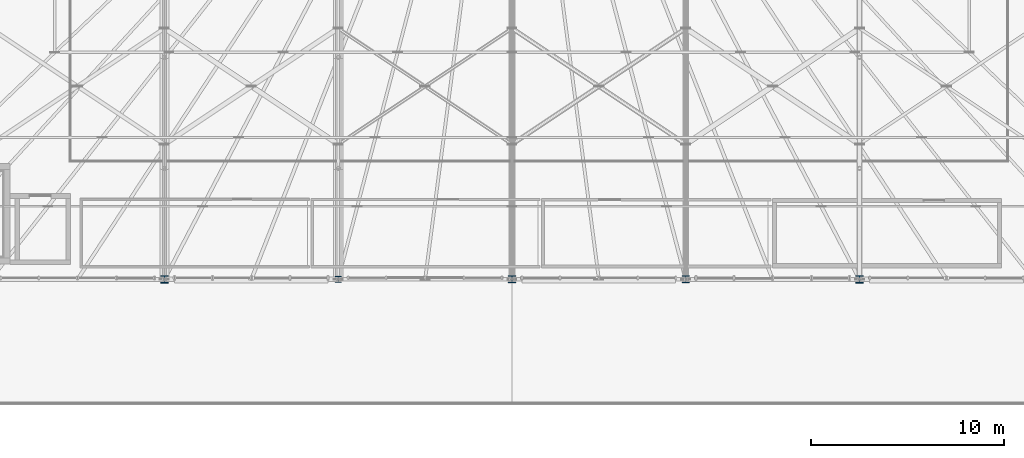
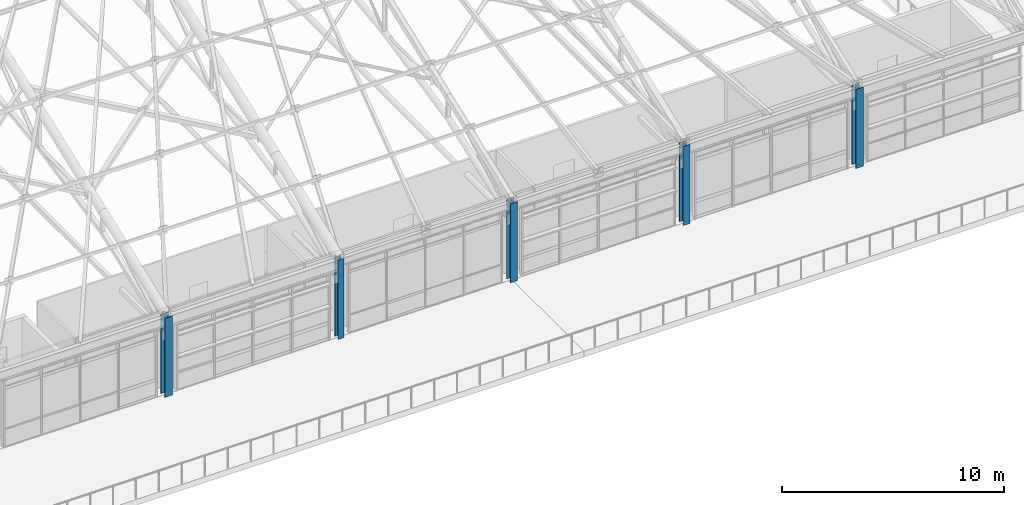
# One storey, part 3 of 168: 5 columns.
"""IFC4 building model written with IfcOpenShell, lengths in metres."""

from ifc_helpers import new_model, si_unit, direction, frame, origin, origin_2d, place, context, subcontext, project, spatial, i_section, extrude, material, material_profile, profile_set, type_object, element, save


model = new_model("IFC4")

# Units and contexts
model_context = context("Model", 3, precision=1e-05, world=origin(), true_north=direction((0.0, 1.0)))
body_context = subcontext(model_context, "Body", "Model", "MODEL_VIEW")
ifc_project = project(units=[si_unit("LENGTHUNIT", "METRE"), si_unit("AREAUNIT", "SQUARE_METRE"), si_unit("VOLUMEUNIT", "CUBIC_METRE"), si_unit("PLANEANGLEUNIT", "RADIAN"), si_unit("MASSUNIT", "GRAM", prefix="KILO"), si_unit("THERMODYNAMICTEMPERATUREUNIT", "KELVIN"), si_unit("POWERUNIT", "WATT")], contexts=[model_context])

# Site, building, storey
site_placement = place(None, origin())
site = spatial("IfcSite", under=ifc_project, at=site_placement, CompositionType="ELEMENT")
building_placement = place(site_placement, origin())
building = spatial("IfcBuilding", under=site, at=building_placement, Name="Tepalcoro Natatorium and Aquatics Centre", CompositionType="ELEMENT")
storey_placement = place(building_placement, frame((0.0, 0.0, 10.199951171875)))
storey = spatial("IfcBuildingStorey", under=building, at=storey_placement, Name="L02", CompositionType="ELEMENT", Elevation=10.199951171875)

# Columns
ifc_material = material(Name="Steel ASTM A992 Grade 50 (Fy 345 MPa)", Category="steel")
ifc_material_profile_1 = material_profile(ifc_material, i_section(OverallWidth=0.306884765625, OverallDepth=0.31494140625, WebThickness=0.011962890625, FlangeThickness=0.01904296875, FilletRadius=0.013916015625, at=origin_2d()), Name="W12X79")
ifc_profile_set_1 = profile_set([ifc_material_profile_1], Name="Steel ASTM A992 Grade 50 (Fy 345 MPa)")
column_type_1 = type_object("IfcColumnType", Name="COL_W12x79", PredefinedType="COLUMN", material=ifc_profile_set_1)
column_1_placement = place(storey_placement, frame((80.0, 13.0, 0.0), z_axis=(0.0, 0.0, 1.0), x_axis=(1.0, 0.0, 0.0)))
element("IfcColumn", 1, at=column_1_placement, inside=storey, type_object=column_type_1, Name="V1 L02 Grid Column (80.0, 13.0)", PredefinedType="COLUMN", context=body_context, shape_type="SweptSolid", body=[
    extrude(i_section(OverallWidth=0.306884765625, OverallDepth=0.31494140625, WebThickness=0.011962890625, FlangeThickness=0.01904296875, FilletRadius=0.013916015625, at=origin_2d()), origin(), (0.0, 0.0, 1.0), 4.35009765625),
])
ifc_material_profile_2 = material_profile(ifc_material, i_section(OverallWidth=0.37109375, OverallDepth=0.363037109375, WebThickness=0.012939453125, FlangeThickness=0.02197265625, FilletRadius=0.013916015625, at=origin_2d()), Name="W14X109")
ifc_profile_set_2 = profile_set([ifc_material_profile_2], Name="Steel ASTM A992 Grade 50 (Fy 345 MPa)")
column_type_2 = type_object("IfcColumnType", Name="COL_W14x109", PredefinedType="COLUMN", material=ifc_profile_set_2)
column_2_placement = place(storey_placement, frame((89.0, 13.0, 0.0), z_axis=(0.0, 0.0, 1.0), x_axis=(1.0, 0.0, 0.0)))
element("IfcColumn", 2, at=column_2_placement, inside=storey, type_object=column_type_2, Name="V1 L02 Grid Column (89.0, 13.0)", PredefinedType="COLUMN", context=body_context, shape_type="SweptSolid", body=[
    extrude(i_section(OverallWidth=0.37109375, OverallDepth=0.363037109375, WebThickness=0.012939453125, FlangeThickness=0.02197265625, FilletRadius=0.013916015625, at=origin_2d()), origin(), (0.0, 0.0, 1.0), 4.35009765625),
])
ifc_material_profile_3 = material_profile(ifc_material, i_section(OverallWidth=0.39892578125, OverallDepth=0.385986328125, WebThickness=0.02099609375, FlangeThickness=0.032958984375, FilletRadius=0.013916015625, at=origin_2d()), Name="W14X176")
ifc_profile_set_3 = profile_set([ifc_material_profile_3], Name="Steel ASTM A992 Grade 50 (Fy 345 MPa)")
column_type_3 = type_object("IfcColumnType", Name="COL_W14x176", PredefinedType="COLUMN", material=ifc_profile_set_3)
for number, where, z_axis, x_axis, name in (
    (3, (71.0, 13.0, 0.0), (0.0, 0.0, 1.0), (1.0, 0.0, 0.0), "V1 L02 Grid Column (71.0, 13.0)"),
    (4, (107.0, 13.0, 0.0), (0.0, 0.0, 1.0), (1.0, 0.0, 0.0), "V1 L02 Grid Column (107.0, 13.0)"),
):
    element("IfcColumn", number, at=place(storey_placement, frame(where, z_axis=z_axis, x_axis=x_axis)), inside=storey, type_object=column_type_3, Name=name, PredefinedType="COLUMN", context=body_context, shape_type="SweptSolid", body=[
        extrude(i_section(OverallWidth=0.39892578125, OverallDepth=0.385986328125, WebThickness=0.02099609375, FlangeThickness=0.032958984375, FilletRadius=0.013916015625, at=origin_2d()), origin(), (0.0, 0.0, 1.0), 4.35009765625),
    ])
ifc_material_profile_4 = material_profile(ifc_material, i_section(OverallWidth=0.367919921875, OverallDepth=0.35595703125, WebThickness=0.010986328125, FlangeThickness=0.01806640625, FilletRadius=0.013916015625, at=origin_2d()), Name="W14X90")
ifc_profile_set_4 = profile_set([ifc_material_profile_4], Name="Steel ASTM A992 Grade 50 (Fy 345 MPa)")
column_type_4 = type_object("IfcColumnType", Name="COL_W14x90", PredefinedType="COLUMN", material=ifc_profile_set_4)
column_3_placement = place(storey_placement, frame((98.0, 13.0, 0.0), z_axis=(0.0, 0.0, 1.0), x_axis=(1.0, 0.0, 0.0)))
element("IfcColumn", 5, at=column_3_placement, inside=storey, type_object=column_type_4, Name="V1 L02 Grid Column (98.0, 13.0)", PredefinedType="COLUMN", context=body_context, shape_type="SweptSolid", body=[
    extrude(i_section(OverallWidth=0.367919921875, OverallDepth=0.35595703125, WebThickness=0.010986328125, FlangeThickness=0.01806640625, FilletRadius=0.013916015625, at=origin_2d()), origin(), (0.0, 0.0, 1.0), 4.35009765625),
])

save(model, "model.ifc")
